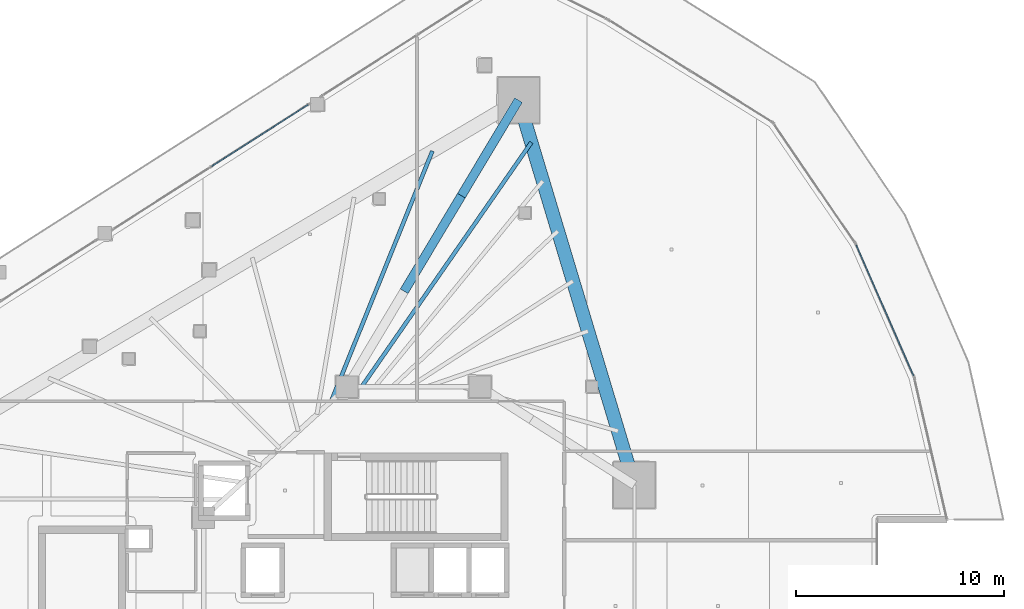
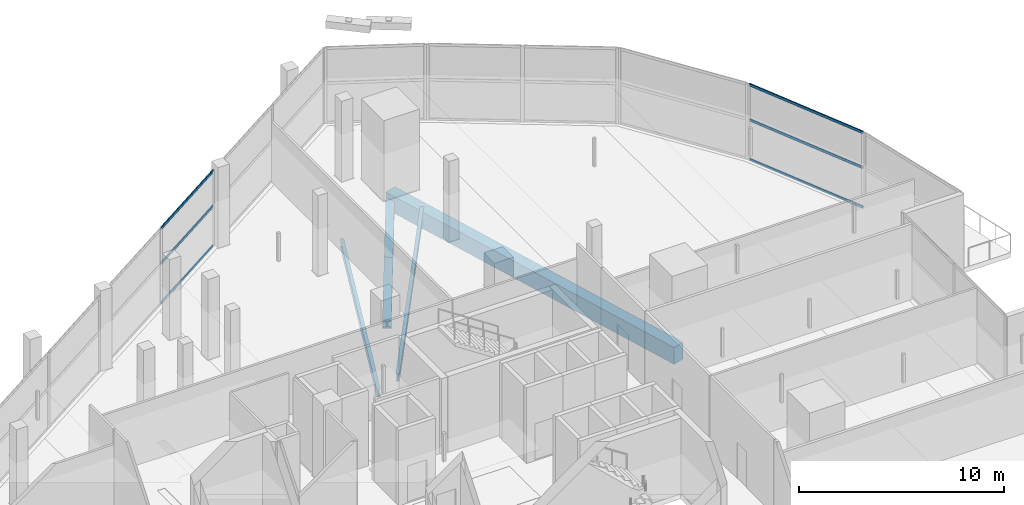
# One storey, part 19 of 42: 8 members, 3 beams, 2 elements without a shape of their own.
"""IFC4 building model written with IfcOpenShell, lengths in metres."""

from ifc_helpers import new_model, si_unit, direction, frame, origin, origin_2d, place, context, subcontext, project, spatial, rectangle, hollow_rectangle, i_section, extrude, material, layer, layer_set, material_profile, profile_set, type_object, element, aggregate, save


model = new_model("IFC4")

# Units and contexts
model_context = context("Model", 3, precision=1e-05, world=origin(), true_north=direction((0.0, 1.0)))
body_context = subcontext(model_context, "Body", "Model", "MODEL_VIEW")
ifc_project = project(units=[si_unit("LENGTHUNIT", "METRE"), si_unit("AREAUNIT", "SQUARE_METRE"), si_unit("VOLUMEUNIT", "CUBIC_METRE"), si_unit("PLANEANGLEUNIT", "RADIAN"), si_unit("MASSUNIT", "GRAM", prefix="KILO")], contexts=[model_context])

# Site, building, storey
site_placement = place(None, origin())
site = spatial("IfcSite", under=ifc_project, at=site_placement, CompositionType="ELEMENT")
building_placement = place(site_placement, origin())
building = spatial("IfcBuilding", under=site, at=building_placement, Name="Qorvath Tower", CompositionType="ELEMENT")
storey_placement = place(building_placement, frame((0.0, 0.0, 105.0)))
storey = spatial("IfcBuildingStorey", under=building, at=storey_placement, Name="L23", CompositionType="ELEMENT", Elevation=105.0)

# Beams
ifc_material_1 = material(Name="Steel ASTM A992 Grade 50", Category="steel")
ifc_material_profile_1 = material_profile(ifc_material_1, i_section(OverallWidth=0.18994140625, OverallDepth=0.45703125, WebThickness=0.009033203125, FlangeThickness=0.014404296875, FilletRadius=0.011962890625, at=origin_2d()), Name="W18x50")
ifc_profile_set_1 = profile_set([ifc_material_profile_1], Name="Steel ASTM A992 Grade 50")
beam_type_1 = type_object("IfcBeamType", Name="BM-FJ2", PredefinedType="JOIST", material=ifc_profile_set_1)
beam_1_placement = place(storey_placement, frame((-22.89599609375, 11.449951171875, -0.528564453125), z_axis=(0.570366725248, 0.821390162304, 0.0), x_axis=(-0.821390162304, 0.570366725248, 0.0)))
element("IfcBeam", 1, at=beam_1_placement, inside=storey, type_object=beam_type_1, Name="Composite Floor Joist NE7 L23", PredefinedType="JOIST", context=body_context, shape_type="SweptSolid", body=[
    extrude(i_section(OverallWidth=0.18994140625, OverallDepth=0.45703125, WebThickness=0.009033203125, FlangeThickness=0.014404296875, FilletRadius=0.011962890625, at=origin_2d()), origin(), (0.0, 0.0, 1.0), 14.3154296875),
])
beam_2_placement = place(storey_placement, frame((-24.35888671875, 10.757080078125, -0.528564453125), z_axis=(0.37487652097, 0.927074751045, 0.0), x_axis=(-0.927074751045, 0.37487652097, 0.0)))
element("IfcBeam", 2, at=beam_2_placement, inside=storey, type_object=beam_type_1, Name="Composite Floor Joist NW7 L23", PredefinedType="JOIST", context=body_context, shape_type="SweptSolid", body=[
    extrude(i_section(OverallWidth=0.18994140625, OverallDepth=0.45703125, WebThickness=0.009033203125, FlangeThickness=0.014404296875, FilletRadius=0.011962890625, at=origin_2d()), origin(), (0.0, 0.0, 1.0), 12.9833984375),
])
ifc_material_2 = material(Name="Concrete C50/60", Category="concrete")
ifc_material_profile_2 = material_profile(ifc_material_2, rectangle(XDim=0.64990234375, YDim=1.0, at=origin_2d()), Name="RCB 1000x650")
ifc_profile_set_2 = profile_set([ifc_material_profile_2], Name="Concrete C50/60")
beam_type_2 = type_object("IfcBeamType", Name="BM-RCB1", PredefinedType="SPANDREL", material=ifc_profile_set_2)
beam_3_placement = place(storey_placement, frame((-9.770263671875, 6.721435546875, -0.800048828125), z_axis=(-0.288133952099, 0.957590113591, 0.0), x_axis=(-0.957590113591, -0.288133952099, 0.0)))
element("IfcBeam", 3, at=beam_3_placement, inside=storey, type_object=beam_type_2, Name="Perimeter Loggia Frame Beam MC5-MC6 L23", PredefinedType="SPANDREL", context=body_context, shape_type="SweptSolid", body=[
    extrude(rectangle(XDim=0.64990234375, YDim=1.0, at=origin_2d()), origin(), (0.0, 0.0, 1.0), 19.344970703125),
])

# Curtain wall, members
ifc_material_3 = material(Name="Anodised aluminium and triple low-E glass", Category="aluminium")
ifc_layer = layer(ifc_material_3, 0.179931640625)
ifc_layer_set = layer_set([ifc_layer], Name="CW-SYS-5")
curtain_wall_type = type_object("IfcCurtainWallType", Name="CW-SYS-5", PredefinedType="NOTDEFINED", material=ifc_layer_set)
curtain_wall_1_placement = place(storey_placement, origin())
curtain_wall_1 = element("IfcCurtainWall", 4, at=curtain_wall_1_placement, inside=storey, type_object=curtain_wall_type, Name="Curtain Wall CW-5 CW-T-L23-12.1", PredefinedType="NOTDEFINED")
ifc_material_4 = material(Name="Anodised aluminium 6063-T6", Category="aluminium")
ifc_material_profile_3 = material_profile(ifc_material_4, hollow_rectangle(XDim=0.06494140625, YDim=0.159912109375, WallThickness=0.00341796875, InnerFilletRadius=0.00341796875, OuterFilletRadius=0.007080078125, at=origin_2d()), Name="CWT 160x65")
ifc_profile_set_3 = profile_set([ifc_material_profile_3], Name="Anodised aluminium 6063-T6")
member_type_1 = type_object("IfcMemberType", Name="CWT-160", PredefinedType="USERDEFINED", material=ifc_profile_set_3)
member_1_placement = place(storey_placement, frame((3.666748046875, 11.976318359375, 0.032470703125), z_axis=(-0.401503378028, 0.915857542106, 0.0), x_axis=(-0.915857542106, -0.401503378028, 0.0)))
member_1 = element("IfcMember", 5, at=member_1_placement, type_object=member_type_1, Name="CW-5 transom 1.1", ObjectType="TRANSOM", PredefinedType="USERDEFINED", context=body_context, shape_type="SweptSolid", body=[
    extrude(hollow_rectangle(XDim=0.06494140625, YDim=0.159912109375, WallThickness=0.00341796875, InnerFilletRadius=0.00341796875, OuterFilletRadius=0.007080078125, at=origin_2d()), origin(), (0.0, 0.0, 1.0), 6.884033203125),
])
member_2_placement = place(storey_placement, frame((3.666748046875, 11.976318359375, 2.39990234375), z_axis=(-0.401503378028, 0.915857542106, 0.0), x_axis=(-0.915857542106, -0.401503378028, 0.0)))
member_2 = element("IfcMember", 6, at=member_2_placement, type_object=member_type_1, Name="CW-5 transom 1.2", ObjectType="TRANSOM", PredefinedType="USERDEFINED", context=body_context, shape_type="SweptSolid", body=[
    extrude(hollow_rectangle(XDim=0.06494140625, YDim=0.159912109375, WallThickness=0.00341796875, InnerFilletRadius=0.00341796875, OuterFilletRadius=0.007080078125, at=origin_2d()), origin(), (0.0, 0.0, 1.0), 6.884033203125),
])
member_3_placement = place(storey_placement, frame((3.666748046875, 11.976318359375, 4.487548828125), z_axis=(-0.401503378028, 0.915857542106, 0.0), x_axis=(-0.915857542106, -0.401503378028, 0.0)))
member_3 = element("IfcMember", 7, at=member_3_placement, type_object=member_type_1, Name="CW-5 transom 1.3", ObjectType="TRANSOM", PredefinedType="USERDEFINED", context=body_context, shape_type="SweptSolid", body=[
    extrude(hollow_rectangle(XDim=0.06494140625, YDim=0.159912109375, WallThickness=0.00341796875, InnerFilletRadius=0.00341796875, OuterFilletRadius=0.007080078125, at=origin_2d()), origin(), (0.0, 0.0, 1.0), 6.884033203125),
])
aggregate(curtain_wall_1, [member_1, member_2, member_3])

curtain_wall_2_placement = place(storey_placement, origin())
curtain_wall_2 = element("IfcCurtainWall", 8, at=curtain_wall_2_placement, inside=storey, type_object=curtain_wall_type, Name="Curtain Wall CW-5 CW-T-L23-16.2", PredefinedType="NOTDEFINED")
member_4_placement = place(storey_placement, frame((-25.470947265625, 25.026123046875, 0.032470703125), z_axis=(-0.842592366518, -0.53855185812, 0.0), x_axis=(0.53855185812, -0.842592366518, 0.0)))
member_4 = element("IfcMember", 9, at=member_4_placement, type_object=member_type_1, Name="CW-5 transom 1.1", ObjectType="TRANSOM", PredefinedType="USERDEFINED", context=body_context, shape_type="SweptSolid", body=[
    extrude(hollow_rectangle(XDim=0.06494140625, YDim=0.159912109375, WallThickness=0.00341796875, InnerFilletRadius=0.00341796875, OuterFilletRadius=0.007080078125, at=origin_2d()), origin(), (0.0, 0.0, 1.0), 5.50927734375),
])
member_5_placement = place(storey_placement, frame((-25.470947265625, 25.026123046875, 2.39990234375), z_axis=(-0.842592366518, -0.53855185812, 0.0), x_axis=(0.53855185812, -0.842592366518, 0.0)))
member_5 = element("IfcMember", 10, at=member_5_placement, type_object=member_type_1, Name="CW-5 transom 1.2", ObjectType="TRANSOM", PredefinedType="USERDEFINED", context=body_context, shape_type="SweptSolid", body=[
    extrude(hollow_rectangle(XDim=0.06494140625, YDim=0.159912109375, WallThickness=0.00341796875, InnerFilletRadius=0.00341796875, OuterFilletRadius=0.007080078125, at=origin_2d()), origin(), (0.0, 0.0, 1.0), 5.50927734375),
])
member_6_placement = place(storey_placement, frame((-25.470947265625, 25.026123046875, 4.487548828125), z_axis=(-0.842592366518, -0.53855185812, 0.0), x_axis=(0.53855185812, -0.842592366518, 0.0)))
member_6 = element("IfcMember", 11, at=member_6_placement, type_object=member_type_1, Name="CW-5 transom 1.3", ObjectType="TRANSOM", PredefinedType="USERDEFINED", context=body_context, shape_type="SweptSolid", body=[
    extrude(hollow_rectangle(XDim=0.06494140625, YDim=0.159912109375, WallThickness=0.00341796875, InnerFilletRadius=0.00341796875, OuterFilletRadius=0.007080078125, at=origin_2d()), origin(), (0.0, 0.0, 1.0), 5.50927734375),
])
aggregate(curtain_wall_2, [member_4, member_5, member_6])

# Members
ifc_material_5 = material(Name="Steel ASTM A913 Grade 65", Category="steel")
ifc_material_profile_4 = material_profile(ifc_material_5, i_section(OverallWidth=0.431884765625, OverallDepth=0.498046875, WebThickness=0.0556640625, FlangeThickness=0.0888671875, FilletRadius=0.02490234375, at=origin_2d()), Name="W14x500")
ifc_profile_set_4 = profile_set([ifc_material_profile_4], Name="Steel ASTM A913 Grade 65")
member_type_2 = type_object("IfcMemberType", Name="MEM-OT1", PredefinedType="CHORD", material=ifc_profile_set_4)
member_7_placement = place(storey_placement, frame((-20.84814453125, 16.048583984375, -0.85009765625), z_axis=(0.513483832352, 0.8580992681, 0.0), x_axis=(-0.8580992681, 0.513483832352, 0.0)))
element("IfcMember", 12, at=member_7_placement, inside=storey, type_object=member_type_2, Name="Outrigger and Belt Truss Top Chord OB1-1.2", PredefinedType="CHORD", context=body_context, shape_type="SweptSolid", body=[
    extrude(i_section(OverallWidth=0.431884765625, OverallDepth=0.498046875, WebThickness=0.0556640625, FlangeThickness=0.0888671875, FilletRadius=0.02490234375, at=origin_2d()), origin(), (0.0, 0.0, 1.0), 5.359375),
])
member_8_placement = place(storey_placement, frame((-18.09619140625, 20.6474609375, -0.85009765625), z_axis=(0.513503904971, 0.85808725639, 0.0), x_axis=(-0.85808725639, 0.513503904971, 0.0)))
element("IfcMember", 13, at=member_8_placement, inside=storey, type_object=member_type_2, Name="Outrigger and Belt Truss Top Chord OB1-1.3", PredefinedType="CHORD", context=body_context, shape_type="SweptSolid", body=[
    extrude(i_section(OverallWidth=0.431884765625, OverallDepth=0.498046875, WebThickness=0.0556640625, FlangeThickness=0.0888671875, FilletRadius=0.02490234375, at=origin_2d()), origin(), (0.0, 0.0, 1.0), 5.359130859375),
])

save(model, "model.ifc")
